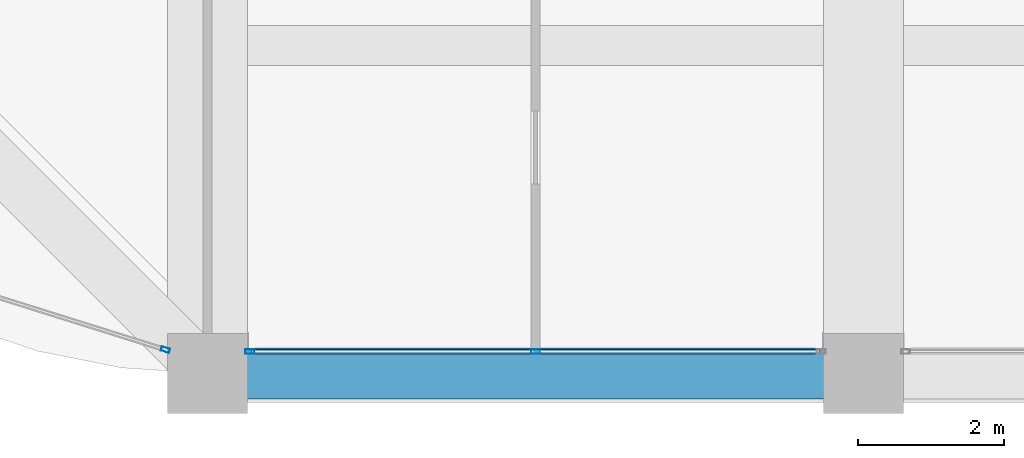
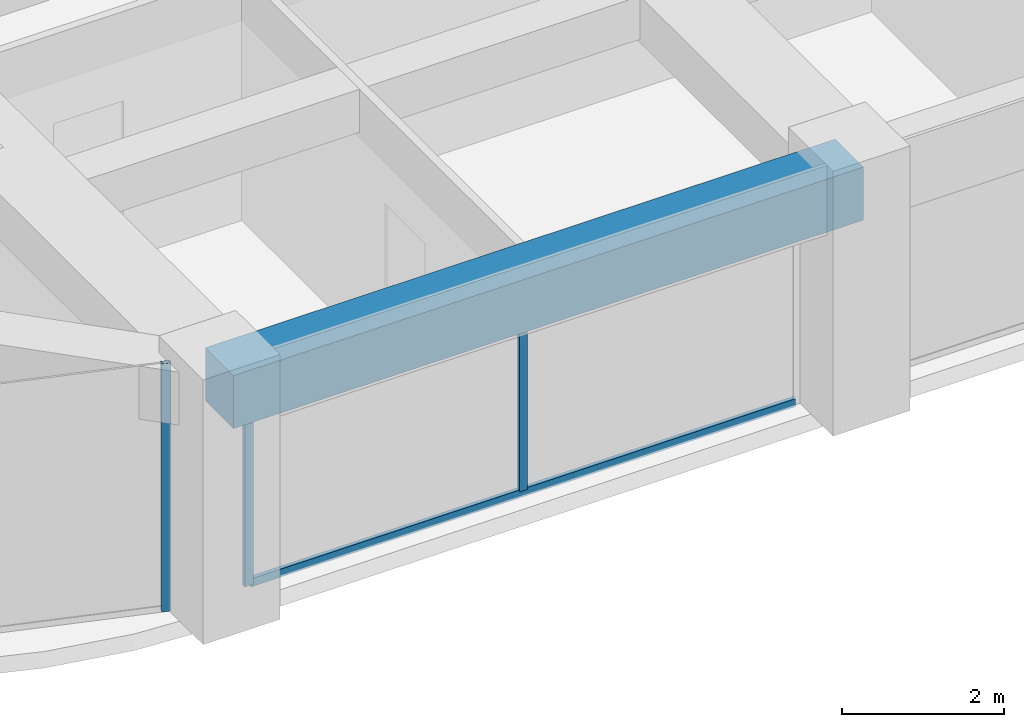
# One storey, part 4 of 44: 4 members, 1 beam, 2 elements without a shape of their own.
"""IFC4 building model written with IfcOpenShell, lengths in metres."""

from ifc_helpers import new_model, si_unit, direction, frame, origin, origin_2d, place, context, subcontext, project, spatial, rectangle, hollow_rectangle, extrude, material, material_profile, profile_set, type_object, element, aggregate, save


model = new_model("IFC4")

# Units and contexts
model_context = context("Model", 3, precision=1e-05, world=origin(), true_north=direction((0.0, 1.0)))
body_context = subcontext(model_context, "Body", "Model", "MODEL_VIEW")
ifc_project = project(units=[si_unit("LENGTHUNIT", "METRE"), si_unit("AREAUNIT", "SQUARE_METRE"), si_unit("VOLUMEUNIT", "CUBIC_METRE"), si_unit("PLANEANGLEUNIT", "RADIAN"), si_unit("MASSUNIT", "GRAM", prefix="KILO")], contexts=[model_context])

# Site, building, storey
site_placement = place(None, origin())
site = spatial("IfcSite", under=ifc_project, at=site_placement, CompositionType="ELEMENT")
building_placement = place(site_placement, origin())
building = spatial("IfcBuilding", under=site, at=building_placement, Name="Zorevar Civic Tower", CompositionType="ELEMENT")
storey_placement = place(building_placement, frame((0.0, 0.0, 299.39990234375)))
storey = spatial("IfcBuildingStorey", under=building, at=storey_placement, Name="L73", CompositionType="ELEMENT", Elevation=299.39990234375)

# Curtain wall, members
ifc_material_1 = material(Name="Dark grey solar-control glass in black aluminium frame", Category="aluminium")
curtain_wall_type = type_object("IfcCurtainWallType", Name="Curtain wall CW5 top zone", PredefinedType="NOTDEFINED", material=ifc_material_1)
curtain_wall_1_placement = place(storey_placement, origin())
curtain_wall_1 = element("IfcCurtainWall", 1, at=curtain_wall_1_placement, inside=storey, type_object=curtain_wall_type, Name="CW5 L73", PredefinedType="NOTDEFINED")
ifc_material_2 = material(Name="Aluminium, black anodised", Category="aluminium")
ifc_material_profile_1 = material_profile(ifc_material_2, hollow_rectangle(XDim=0.06005859375, YDim=0.1201171875, WallThickness=0.0029296875, at=origin_2d()), Name="AL 120x60x3")
ifc_profile_set_1 = profile_set([ifc_material_profile_1], Name="Aluminium, black anodised")
member_type_1 = type_object("IfcMemberType", Name="CW5 mullion AL 120x60x3", PredefinedType="MULLION", material=ifc_profile_set_1)
member_1_placement = place(storey_placement, frame((18.580078125, 0.300048828125, 0.0), z_axis=(0.0, 0.0, 1.0), x_axis=(0.0, 1.0, 0.0)))
member_1 = element("IfcMember", 2, at=member_1_placement, type_object=member_type_1, Name="CW5 mullion 1", PredefinedType="MULLION", context=body_context, shape_type="SweptSolid", body=[
    extrude(hollow_rectangle(XDim=0.06005859375, YDim=0.1201171875, WallThickness=0.0029296875, at=origin_2d()), origin(), (0.0, 0.0, 1.0), 2.9501953125),
])
member_2_placement = place(storey_placement, frame((22.5, 0.300048828125, 0.06005859375), z_axis=(0.0, 0.0, 1.0), x_axis=(0.0, 1.0, 0.0)))
member_2 = element("IfcMember", 3, at=member_2_placement, type_object=member_type_1, Name="CW5 mullion 2", PredefinedType="MULLION", context=body_context, shape_type="SweptSolid", body=[
    extrude(hollow_rectangle(XDim=0.06005859375, YDim=0.1201171875, WallThickness=0.0029296875, at=origin_2d()), origin(), (0.0, 0.0, 1.0), 2.89013671875),
])

# Curtain wall, member
curtain_wall_2_placement = place(storey_placement, origin())
curtain_wall_2 = element("IfcCurtainWall", 4, at=curtain_wall_2_placement, inside=storey, type_object=curtain_wall_type, Name="CW5 L73", PredefinedType="NOTDEFINED")
member_3_placement = place(storey_placement, frame((17.42138671875, 0.326416015625, 0.0), z_axis=(0.0, 0.0, 1.0), x_axis=(0.299317920238, 0.954153437674, 0.0)))
member_3 = element("IfcMember", 5, at=member_3_placement, type_object=member_type_1, Name="CW5 mullion 2", PredefinedType="MULLION", context=body_context, shape_type="SweptSolid", body=[
    extrude(hollow_rectangle(XDim=0.06005859375, YDim=0.1201171875, WallThickness=0.0029296875, at=origin_2d()), origin(), (0.0, 0.0, 1.0), 3.75),
])
aggregate(curtain_wall_2, [member_3])

# Member
ifc_material_3 = material(Name="Aluminium, black anodised", Category="aluminium")
ifc_material_profile_2 = material_profile(ifc_material_3, hollow_rectangle(XDim=0.06005859375, YDim=0.1201171875, WallThickness=0.0029296875, at=origin_2d()), Name="AL 120x60x3")
ifc_profile_set_2 = profile_set([ifc_material_profile_2], Name="Aluminium, black anodised")
member_type_2 = type_object("IfcMemberType", Name="CW5 transom AL 120x60x3", PredefinedType="USERDEFINED", material=ifc_profile_set_2)
member_4_placement = place(storey_placement, frame((18.610107421875, 0.300048828125, 0.030029296875), z_axis=(1.0, 0.0, 0.0), x_axis=(0.0, 1.0, 0.0)))
member_4 = element("IfcMember", 6, at=member_4_placement, type_object=member_type_2, Name="CW5 sill transom", ObjectType="TRANSOM", PredefinedType="USERDEFINED", context=body_context, shape_type="SweptSolid", body=[
    extrude(hollow_rectangle(XDim=0.06005859375, YDim=0.1201171875, WallThickness=0.0029296875, at=origin_2d()), origin(), (0.0, 0.0, 1.0), 7.77978515625),
])

aggregate(curtain_wall_1, [member_1, member_2, member_4])

# Beam
ifc_material_4 = material(Name="Concrete C50/60", Category="concrete")
ifc_material_profile_3 = material_profile(ifc_material_4, rectangle(XDim=0.699951171875, YDim=0.800048828125, at=origin_2d()), Name="RC 700x800")
ifc_profile_set_3 = profile_set([ifc_material_profile_3], Name="Concrete C50/60")
beam_type = type_object("IfcBeamType", Name="Edge beam RC 700x800", PredefinedType="SPANDREL", material=ifc_profile_set_3)
beam_placement = place(storey_placement, frame((18.0, 0.0, 3.35009765625), z_axis=(1.0, 0.0, 0.0), x_axis=(0.0, 1.0, 0.0)))
element("IfcBeam", 7, at=beam_placement, inside=storey, type_object=beam_type, Name="Edge beam L74", PredefinedType="SPANDREL", context=body_context, shape_type="SweptSolid", body=[
    extrude(rectangle(XDim=0.699951171875, YDim=0.800048828125, at=origin_2d()), origin(), (0.0, 0.0, 1.0), 9.0),
])

save(model, "model.ifc")
